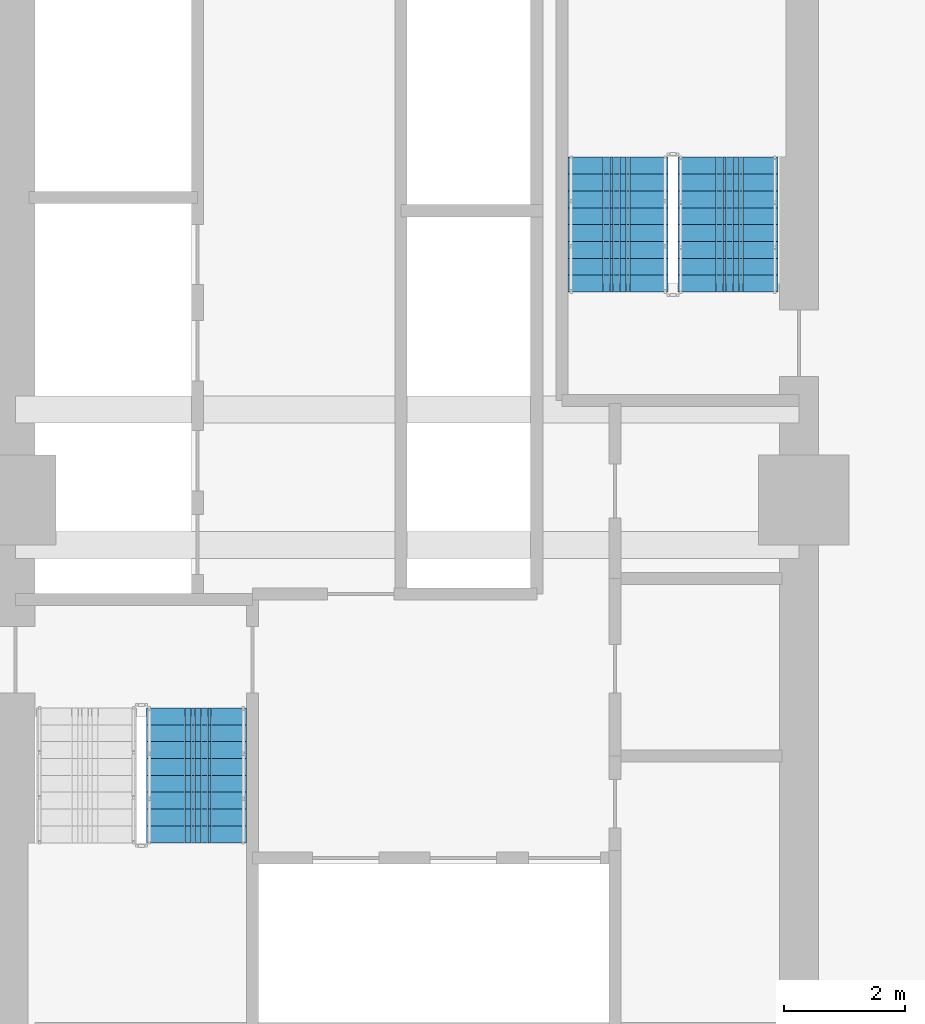
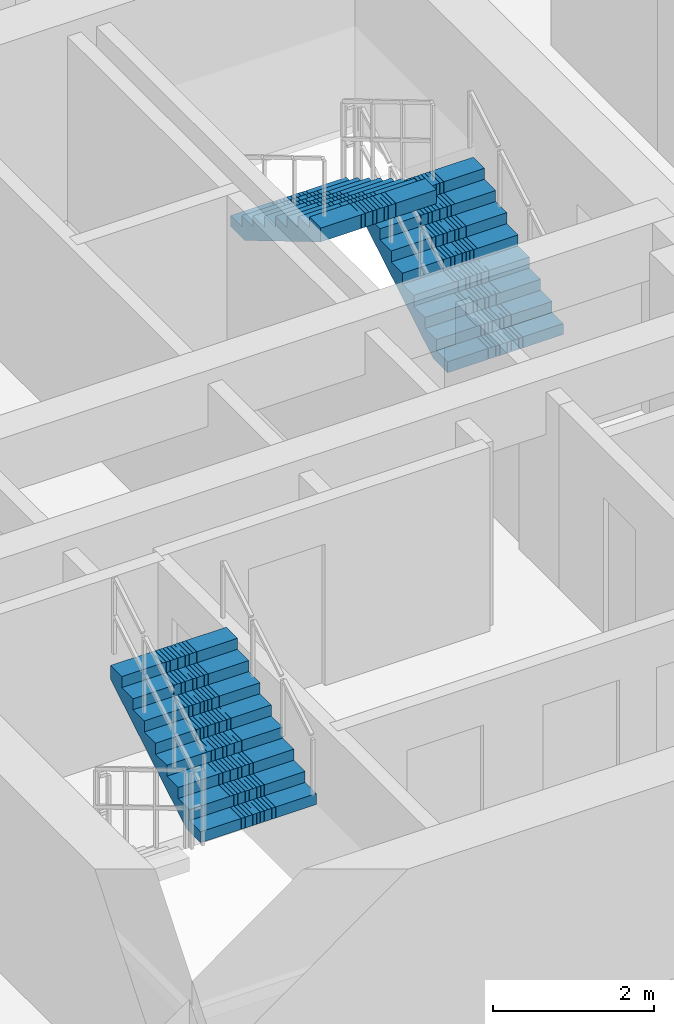
# One storey, part 10 of 16: 3 stair flights, 2 elements without a shape of their own.
"""IFC4 building model written with IfcOpenShell, lengths in metres."""

from ifc_helpers import new_model, si_unit, direction, frame, origin, place, context, subcontext, project, spatial, polyline, outline, extrude, material, type_object, element, aggregate, save


model = new_model("IFC4")

# Units and contexts
model_context = context("Model", 3, precision=1e-05, world=origin(), true_north=direction((0.0, 1.0)))
body_context = subcontext(model_context, "Body", "Model", "MODEL_VIEW")
ifc_project = project(units=[si_unit("LENGTHUNIT", "METRE"), si_unit("AREAUNIT", "SQUARE_METRE"), si_unit("VOLUMEUNIT", "CUBIC_METRE"), si_unit("PLANEANGLEUNIT", "RADIAN"), si_unit("MASSUNIT", "GRAM", prefix="KILO")], contexts=[model_context])

# Site, building, storey
site_placement = place(None, origin())
site = spatial("IfcSite", under=ifc_project, at=site_placement, CompositionType="ELEMENT")
building_placement = place(site_placement, origin())
building = spatial("IfcBuilding", under=site, at=building_placement, Name="Saelheon Loggia Tower", CompositionType="ELEMENT")
storey_placement = place(building_placement, frame((0.0, 0.0, 55.39990234375)))
storey = spatial("IfcBuildingStorey", under=building, at=storey_placement, Name="L17", CompositionType="ELEMENT", Elevation=55.39990234375)

# Stair, stair flight
ifc_material = material(Name="Concrete C40/50", Category="concrete")
stair_type = type_object("IfcStairType", Name="Stair_Escape_Core", PredefinedType="HALF_TURN_STAIR", material=ifc_material)
stair_1_placement = place(storey_placement, origin())
stair_1 = element("IfcStair", 1, at=stair_1_placement, inside=storey, type_object=stair_type, Name="L17 Special Escape Stair ST1", PredefinedType="HALF_TURN_STAIR")
stair_flight_type = type_object("IfcStairFlightType", Name="StairFlight_Tower_1660", PredefinedType="STRAIGHT", material=ifc_material)
stair_flight_1_placement = place(storey_placement, frame((34.5, 21.31005859375, 1.5), z_axis=(0.0, 0.0, 1.0), x_axis=(0.0, 1.0, 0.0)))
stair_flight_1 = element("IfcStairFlight", 2, at=stair_flight_1_placement, type_object=stair_flight_type, Name="ST1 flight 2", NumberOfRisers=9, NumberOfTreads=8, PredefinedType="STRAIGHT", RiserHeight=0.166666667, TreadLength=0.28, context=body_context, shape_type="SweptSolid", body=[
    extrude(outline(polyline([(0.0, 0.0), (0.0, 0.166748046875), (0.280029296875, 0.166748046875), (0.280029296875, 0.333251953125), (0.56005859375, 0.333251953125), (0.56005859375, 0.5), (0.840087890625, 0.5), (0.840087890625, 0.666748046875), (1.1201171875, 0.666748046875), (1.1201171875, 0.833251953125), (1.39990234375, 0.833251953125), (1.39990234375, 1.0), (1.679931640625, 1.0), (1.679931640625, 1.166748046875), (1.9599609375, 1.166748046875), (1.9599609375, 1.333251953125), (2.239990234375, 1.333251953125), (2.239990234375, 1.5), (2.239990234375, 1.1240234375), (0.351806640625, 0.0), (0.0, 0.0)])), frame((0.0, -0.2490234375, 0.0), z_axis=(0.0, -1.0, 0.0), x_axis=(1.0, 0.0, 0.0)), (0.0, 0.0, 1.0), 0.5810546875),
    extrude(outline(polyline([(0.0, 0.0), (0.0, 0.166748046875), (0.280029296875, 0.166748046875), (0.280029296875, 0.333251953125), (0.56005859375, 0.333251953125), (0.56005859375, 0.5), (0.840087890625, 0.5), (0.840087890625, 0.666748046875), (1.1201171875, 0.666748046875), (1.1201171875, 0.833251953125), (1.39990234375, 0.833251953125), (1.39990234375, 1.0), (1.679931640625, 1.0), (1.679931640625, 1.166748046875), (1.9599609375, 1.166748046875), (1.9599609375, 1.333251953125), (2.239990234375, 1.333251953125), (2.239990234375, 1.5), (2.239990234375, 1.1240234375), (0.351806640625, 0.0), (0.0, 0.0)])), frame((0.0, -0.194091796875, 0.0), z_axis=(0.0, -1.0, 0.0), x_axis=(1.0, 0.0, 0.0)), (0.0, 0.0, 1.0), 0.0498046875),
    extrude(outline(polyline([(0.0, 0.0), (0.0, 0.166748046875), (0.280029296875, 0.166748046875), (0.280029296875, 0.333251953125), (0.56005859375, 0.333251953125), (0.56005859375, 0.5), (0.840087890625, 0.5), (0.840087890625, 0.666748046875), (1.1201171875, 0.666748046875), (1.1201171875, 0.833251953125), (1.39990234375, 0.833251953125), (1.39990234375, 1.0), (1.679931640625, 1.0), (1.679931640625, 1.166748046875), (1.9599609375, 1.166748046875), (1.9599609375, 1.333251953125), (2.239990234375, 1.333251953125), (2.239990234375, 1.5), (2.239990234375, 1.1240234375), (0.351806640625, 0.0), (0.0, 0.0)])), frame((0.0, -0.139404296875, 0.0), z_axis=(0.0, -1.0, 0.0), x_axis=(1.0, 0.0, 0.0)), (0.0, 0.0, 1.0), 0.0498046875),
    extrude(outline(polyline([(0.0, 0.0), (0.0, 0.166748046875), (0.280029296875, 0.166748046875), (0.280029296875, 0.333251953125), (0.56005859375, 0.333251953125), (0.56005859375, 0.5), (0.840087890625, 0.5), (0.840087890625, 0.666748046875), (1.1201171875, 0.666748046875), (1.1201171875, 0.833251953125), (1.39990234375, 0.833251953125), (1.39990234375, 1.0), (1.679931640625, 1.0), (1.679931640625, 1.166748046875), (1.9599609375, 1.166748046875), (1.9599609375, 1.333251953125), (2.239990234375, 1.333251953125), (2.239990234375, 1.5), (2.239990234375, 1.1240234375), (0.351806640625, 0.0), (0.0, 0.0)])), frame((0.0, -0.084716796875, 0.0), z_axis=(0.0, -1.0, 0.0), x_axis=(1.0, 0.0, 0.0)), (0.0, 0.0, 1.0), 0.0498046875),
    extrude(outline(polyline([(0.0, 0.0), (0.0, 0.166748046875), (0.280029296875, 0.166748046875), (0.280029296875, 0.333251953125), (0.56005859375, 0.333251953125), (0.56005859375, 0.5), (0.840087890625, 0.5), (0.840087890625, 0.666748046875), (1.1201171875, 0.666748046875), (1.1201171875, 0.833251953125), (1.39990234375, 0.833251953125), (1.39990234375, 1.0), (1.679931640625, 1.0), (1.679931640625, 1.166748046875), (1.9599609375, 1.166748046875), (1.9599609375, 1.333251953125), (2.239990234375, 1.333251953125), (2.239990234375, 1.5), (2.239990234375, 1.1240234375), (0.351806640625, 0.0), (0.0, 0.0)])), frame((0.0, -0.02978515625, 0.0), z_axis=(0.0, -1.0, 0.0), x_axis=(1.0, 0.0, 0.0)), (0.0, 0.0, 1.0), 0.0498046875),
    extrude(outline(polyline([(0.0, 0.0), (0.0, 0.166748046875), (0.280029296875, 0.166748046875), (0.280029296875, 0.333251953125), (0.56005859375, 0.333251953125), (0.56005859375, 0.5), (0.840087890625, 0.5), (0.840087890625, 0.666748046875), (1.1201171875, 0.666748046875), (1.1201171875, 0.833251953125), (1.39990234375, 0.833251953125), (1.39990234375, 1.0), (1.679931640625, 1.0), (1.679931640625, 1.166748046875), (1.9599609375, 1.166748046875), (1.9599609375, 1.333251953125), (2.239990234375, 1.333251953125), (2.239990234375, 1.5), (2.239990234375, 1.1240234375), (0.351806640625, 0.0), (0.0, 0.0)])), frame((0.0, 0.02490234375, 0.0), z_axis=(0.0, -1.0, 0.0), x_axis=(1.0, 0.0, 0.0)), (0.0, 0.0, 1.0), 0.0498046875),
    extrude(outline(polyline([(0.0, 0.0), (0.0, 0.166748046875), (0.280029296875, 0.166748046875), (0.280029296875, 0.333251953125), (0.56005859375, 0.333251953125), (0.56005859375, 0.5), (0.840087890625, 0.5), (0.840087890625, 0.666748046875), (1.1201171875, 0.666748046875), (1.1201171875, 0.833251953125), (1.39990234375, 0.833251953125), (1.39990234375, 1.0), (1.679931640625, 1.0), (1.679931640625, 1.166748046875), (1.9599609375, 1.166748046875), (1.9599609375, 1.333251953125), (2.239990234375, 1.333251953125), (2.239990234375, 1.5), (2.239990234375, 1.1240234375), (0.351806640625, 0.0), (0.0, 0.0)])), frame((0.0, 0.07958984375, 0.0), z_axis=(0.0, -1.0, 0.0), x_axis=(1.0, 0.0, 0.0)), (0.0, 0.0, 1.0), 0.0498046875),
    extrude(outline(polyline([(0.0, 0.0), (0.0, 0.166748046875), (0.280029296875, 0.166748046875), (0.280029296875, 0.333251953125), (0.56005859375, 0.333251953125), (0.56005859375, 0.5), (0.840087890625, 0.5), (0.840087890625, 0.666748046875), (1.1201171875, 0.666748046875), (1.1201171875, 0.833251953125), (1.39990234375, 0.833251953125), (1.39990234375, 1.0), (1.679931640625, 1.0), (1.679931640625, 1.166748046875), (1.9599609375, 1.166748046875), (1.9599609375, 1.333251953125), (2.239990234375, 1.333251953125), (2.239990234375, 1.5), (2.239990234375, 1.1240234375), (0.351806640625, 0.0), (0.0, 0.0)])), frame((0.0, 0.134521484375, 0.0), z_axis=(0.0, -1.0, 0.0), x_axis=(1.0, 0.0, 0.0)), (0.0, 0.0, 1.0), 0.0498046875),
    extrude(outline(polyline([(0.0, 0.0), (0.0, 0.166748046875), (0.280029296875, 0.166748046875), (0.280029296875, 0.333251953125), (0.56005859375, 0.333251953125), (0.56005859375, 0.5), (0.840087890625, 0.5), (0.840087890625, 0.666748046875), (1.1201171875, 0.666748046875), (1.1201171875, 0.833251953125), (1.39990234375, 0.833251953125), (1.39990234375, 1.0), (1.679931640625, 1.0), (1.679931640625, 1.166748046875), (1.9599609375, 1.166748046875), (1.9599609375, 1.333251953125), (2.239990234375, 1.333251953125), (2.239990234375, 1.5), (2.239990234375, 1.1240234375), (0.351806640625, 0.0), (0.0, 0.0)])), frame((0.0, 0.189208984375, 0.0), z_axis=(0.0, -1.0, 0.0), x_axis=(1.0, 0.0, 0.0)), (0.0, 0.0, 1.0), 0.0498046875),
    extrude(outline(polyline([(0.0, 0.0), (0.0, 0.166748046875), (0.280029296875, 0.166748046875), (0.280029296875, 0.333251953125), (0.56005859375, 0.333251953125), (0.56005859375, 0.5), (0.840087890625, 0.5), (0.840087890625, 0.666748046875), (1.1201171875, 0.666748046875), (1.1201171875, 0.833251953125), (1.39990234375, 0.833251953125), (1.39990234375, 1.0), (1.679931640625, 1.0), (1.679931640625, 1.166748046875), (1.9599609375, 1.166748046875), (1.9599609375, 1.333251953125), (2.239990234375, 1.333251953125), (2.239990234375, 1.5), (2.239990234375, 1.1240234375), (0.351806640625, 0.0), (0.0, 0.0)])), frame((0.0, 0.243896484375, 0.0), z_axis=(0.0, -1.0, 0.0), x_axis=(1.0, 0.0, 0.0)), (0.0, 0.0, 1.0), 0.0498046875),
    extrude(outline(polyline([(0.0, 0.0), (0.0, 0.166748046875), (0.280029296875, 0.166748046875), (0.280029296875, 0.333251953125), (0.56005859375, 0.333251953125), (0.56005859375, 0.5), (0.840087890625, 0.5), (0.840087890625, 0.666748046875), (1.1201171875, 0.666748046875), (1.1201171875, 0.833251953125), (1.39990234375, 0.833251953125), (1.39990234375, 1.0), (1.679931640625, 1.0), (1.679931640625, 1.166748046875), (1.9599609375, 1.166748046875), (1.9599609375, 1.333251953125), (2.239990234375, 1.333251953125), (2.239990234375, 1.5), (2.239990234375, 1.1240234375), (0.351806640625, 0.0), (0.0, 0.0)])), frame((0.0, 0.830078125, 0.0), z_axis=(0.0, -1.0, 0.0), x_axis=(1.0, 0.0, 0.0)), (0.0, 0.0, 1.0), 0.5810546875),
])
aggregate(stair_1, [stair_flight_1])

# Stair, stair flights
stair_2_placement = place(storey_placement, origin())
stair_2 = element("IfcStair", 3, at=stair_2_placement, inside=storey, type_object=stair_type, Name="L17 Special Escape Stair ST2", PredefinedType="HALF_TURN_STAIR")
stair_flight_2_placement = place(storey_placement, frame((43.320068359375, 30.449951171875, 0.0), z_axis=(0.0, 0.0, 1.0), x_axis=(0.0, 1.0, 0.0)))
stair_flight_2 = element("IfcStairFlight", 4, at=stair_flight_2_placement, type_object=stair_flight_type, Name="ST2 flight 1", NumberOfRisers=9, NumberOfTreads=8, PredefinedType="STRAIGHT", RiserHeight=0.166666667, TreadLength=0.28, context=body_context, shape_type="SweptSolid", body=[
    extrude(outline(polyline([(0.0, 0.0), (0.0, 0.166748046875), (0.280029296875, 0.166748046875), (0.280029296875, 0.333251953125), (0.56005859375, 0.333251953125), (0.56005859375, 0.5), (0.840087890625, 0.5), (0.840087890625, 0.666748046875), (1.1201171875, 0.666748046875), (1.1201171875, 0.833251953125), (1.39990234375, 0.833251953125), (1.39990234375, 1.0), (1.679931640625, 1.0), (1.679931640625, 1.166748046875), (1.9599609375, 1.166748046875), (1.9599609375, 1.333251953125), (2.239990234375, 1.333251953125), (2.239990234375, 1.5), (2.239990234375, 1.1240234375), (0.351806640625, 0.0), (0.0, 0.0)])), frame((0.0, -0.2490234375, 0.0), z_axis=(0.0, -1.0, 0.0), x_axis=(1.0, 0.0, 0.0)), (0.0, 0.0, 1.0), 0.5810546875),
    extrude(outline(polyline([(0.0, 0.0), (0.0, 0.166748046875), (0.280029296875, 0.166748046875), (0.280029296875, 0.333251953125), (0.56005859375, 0.333251953125), (0.56005859375, 0.5), (0.840087890625, 0.5), (0.840087890625, 0.666748046875), (1.1201171875, 0.666748046875), (1.1201171875, 0.833251953125), (1.39990234375, 0.833251953125), (1.39990234375, 1.0), (1.679931640625, 1.0), (1.679931640625, 1.166748046875), (1.9599609375, 1.166748046875), (1.9599609375, 1.333251953125), (2.239990234375, 1.333251953125), (2.239990234375, 1.5), (2.239990234375, 1.1240234375), (0.351806640625, 0.0), (0.0, 0.0)])), frame((0.0, -0.194091796875, 0.0), z_axis=(0.0, -1.0, 0.0), x_axis=(1.0, 0.0, 0.0)), (0.0, 0.0, 1.0), 0.0498046875),
    extrude(outline(polyline([(0.0, 0.0), (0.0, 0.166748046875), (0.280029296875, 0.166748046875), (0.280029296875, 0.333251953125), (0.56005859375, 0.333251953125), (0.56005859375, 0.5), (0.840087890625, 0.5), (0.840087890625, 0.666748046875), (1.1201171875, 0.666748046875), (1.1201171875, 0.833251953125), (1.39990234375, 0.833251953125), (1.39990234375, 1.0), (1.679931640625, 1.0), (1.679931640625, 1.166748046875), (1.9599609375, 1.166748046875), (1.9599609375, 1.333251953125), (2.239990234375, 1.333251953125), (2.239990234375, 1.5), (2.239990234375, 1.1240234375), (0.351806640625, 0.0), (0.0, 0.0)])), frame((0.0, -0.139404296875, 0.0), z_axis=(0.0, -1.0, 0.0), x_axis=(1.0, 0.0, 0.0)), (0.0, 0.0, 1.0), 0.0498046875),
    extrude(outline(polyline([(0.0, 0.0), (0.0, 0.166748046875), (0.280029296875, 0.166748046875), (0.280029296875, 0.333251953125), (0.56005859375, 0.333251953125), (0.56005859375, 0.5), (0.840087890625, 0.5), (0.840087890625, 0.666748046875), (1.1201171875, 0.666748046875), (1.1201171875, 0.833251953125), (1.39990234375, 0.833251953125), (1.39990234375, 1.0), (1.679931640625, 1.0), (1.679931640625, 1.166748046875), (1.9599609375, 1.166748046875), (1.9599609375, 1.333251953125), (2.239990234375, 1.333251953125), (2.239990234375, 1.5), (2.239990234375, 1.1240234375), (0.351806640625, 0.0), (0.0, 0.0)])), frame((0.0, -0.084716796875, 0.0), z_axis=(0.0, -1.0, 0.0), x_axis=(1.0, 0.0, 0.0)), (0.0, 0.0, 1.0), 0.0498046875),
    extrude(outline(polyline([(0.0, 0.0), (0.0, 0.166748046875), (0.280029296875, 0.166748046875), (0.280029296875, 0.333251953125), (0.56005859375, 0.333251953125), (0.56005859375, 0.5), (0.840087890625, 0.5), (0.840087890625, 0.666748046875), (1.1201171875, 0.666748046875), (1.1201171875, 0.833251953125), (1.39990234375, 0.833251953125), (1.39990234375, 1.0), (1.679931640625, 1.0), (1.679931640625, 1.166748046875), (1.9599609375, 1.166748046875), (1.9599609375, 1.333251953125), (2.239990234375, 1.333251953125), (2.239990234375, 1.5), (2.239990234375, 1.1240234375), (0.351806640625, 0.0), (0.0, 0.0)])), frame((0.0, -0.02978515625, 0.0), z_axis=(0.0, -1.0, 0.0), x_axis=(1.0, 0.0, 0.0)), (0.0, 0.0, 1.0), 0.0498046875),
    extrude(outline(polyline([(0.0, 0.0), (0.0, 0.166748046875), (0.280029296875, 0.166748046875), (0.280029296875, 0.333251953125), (0.56005859375, 0.333251953125), (0.56005859375, 0.5), (0.840087890625, 0.5), (0.840087890625, 0.666748046875), (1.1201171875, 0.666748046875), (1.1201171875, 0.833251953125), (1.39990234375, 0.833251953125), (1.39990234375, 1.0), (1.679931640625, 1.0), (1.679931640625, 1.166748046875), (1.9599609375, 1.166748046875), (1.9599609375, 1.333251953125), (2.239990234375, 1.333251953125), (2.239990234375, 1.5), (2.239990234375, 1.1240234375), (0.351806640625, 0.0), (0.0, 0.0)])), frame((0.0, 0.02490234375, 0.0), z_axis=(0.0, -1.0, 0.0), x_axis=(1.0, 0.0, 0.0)), (0.0, 0.0, 1.0), 0.0498046875),
    extrude(outline(polyline([(0.0, 0.0), (0.0, 0.166748046875), (0.280029296875, 0.166748046875), (0.280029296875, 0.333251953125), (0.56005859375, 0.333251953125), (0.56005859375, 0.5), (0.840087890625, 0.5), (0.840087890625, 0.666748046875), (1.1201171875, 0.666748046875), (1.1201171875, 0.833251953125), (1.39990234375, 0.833251953125), (1.39990234375, 1.0), (1.679931640625, 1.0), (1.679931640625, 1.166748046875), (1.9599609375, 1.166748046875), (1.9599609375, 1.333251953125), (2.239990234375, 1.333251953125), (2.239990234375, 1.5), (2.239990234375, 1.1240234375), (0.351806640625, 0.0), (0.0, 0.0)])), frame((0.0, 0.07958984375, 0.0), z_axis=(0.0, -1.0, 0.0), x_axis=(1.0, 0.0, 0.0)), (0.0, 0.0, 1.0), 0.0498046875),
    extrude(outline(polyline([(0.0, 0.0), (0.0, 0.166748046875), (0.280029296875, 0.166748046875), (0.280029296875, 0.333251953125), (0.56005859375, 0.333251953125), (0.56005859375, 0.5), (0.840087890625, 0.5), (0.840087890625, 0.666748046875), (1.1201171875, 0.666748046875), (1.1201171875, 0.833251953125), (1.39990234375, 0.833251953125), (1.39990234375, 1.0), (1.679931640625, 1.0), (1.679931640625, 1.166748046875), (1.9599609375, 1.166748046875), (1.9599609375, 1.333251953125), (2.239990234375, 1.333251953125), (2.239990234375, 1.5), (2.239990234375, 1.1240234375), (0.351806640625, 0.0), (0.0, 0.0)])), frame((0.0, 0.134521484375, 0.0), z_axis=(0.0, -1.0, 0.0), x_axis=(1.0, 0.0, 0.0)), (0.0, 0.0, 1.0), 0.0498046875),
    extrude(outline(polyline([(0.0, 0.0), (0.0, 0.166748046875), (0.280029296875, 0.166748046875), (0.280029296875, 0.333251953125), (0.56005859375, 0.333251953125), (0.56005859375, 0.5), (0.840087890625, 0.5), (0.840087890625, 0.666748046875), (1.1201171875, 0.666748046875), (1.1201171875, 0.833251953125), (1.39990234375, 0.833251953125), (1.39990234375, 1.0), (1.679931640625, 1.0), (1.679931640625, 1.166748046875), (1.9599609375, 1.166748046875), (1.9599609375, 1.333251953125), (2.239990234375, 1.333251953125), (2.239990234375, 1.5), (2.239990234375, 1.1240234375), (0.351806640625, 0.0), (0.0, 0.0)])), frame((0.0, 0.189208984375, 0.0), z_axis=(0.0, -1.0, 0.0), x_axis=(1.0, 0.0, 0.0)), (0.0, 0.0, 1.0), 0.0498046875),
    extrude(outline(polyline([(0.0, 0.0), (0.0, 0.166748046875), (0.280029296875, 0.166748046875), (0.280029296875, 0.333251953125), (0.56005859375, 0.333251953125), (0.56005859375, 0.5), (0.840087890625, 0.5), (0.840087890625, 0.666748046875), (1.1201171875, 0.666748046875), (1.1201171875, 0.833251953125), (1.39990234375, 0.833251953125), (1.39990234375, 1.0), (1.679931640625, 1.0), (1.679931640625, 1.166748046875), (1.9599609375, 1.166748046875), (1.9599609375, 1.333251953125), (2.239990234375, 1.333251953125), (2.239990234375, 1.5), (2.239990234375, 1.1240234375), (0.351806640625, 0.0), (0.0, 0.0)])), frame((0.0, 0.243896484375, 0.0), z_axis=(0.0, -1.0, 0.0), x_axis=(1.0, 0.0, 0.0)), (0.0, 0.0, 1.0), 0.0498046875),
    extrude(outline(polyline([(0.0, 0.0), (0.0, 0.166748046875), (0.280029296875, 0.166748046875), (0.280029296875, 0.333251953125), (0.56005859375, 0.333251953125), (0.56005859375, 0.5), (0.840087890625, 0.5), (0.840087890625, 0.666748046875), (1.1201171875, 0.666748046875), (1.1201171875, 0.833251953125), (1.39990234375, 0.833251953125), (1.39990234375, 1.0), (1.679931640625, 1.0), (1.679931640625, 1.166748046875), (1.9599609375, 1.166748046875), (1.9599609375, 1.333251953125), (2.239990234375, 1.333251953125), (2.239990234375, 1.5), (2.239990234375, 1.1240234375), (0.351806640625, 0.0), (0.0, 0.0)])), frame((0.0, 0.830078125, 0.0), z_axis=(0.0, -1.0, 0.0), x_axis=(1.0, 0.0, 0.0)), (0.0, 0.0, 1.0), 0.5810546875),
])
stair_flight_3_placement = place(storey_placement, frame((41.5, 32.68994140625, 1.5), z_axis=(0.0, 0.0, 1.0), x_axis=(0.0, -1.0, 0.0)))
stair_flight_3 = element("IfcStairFlight", 5, at=stair_flight_3_placement, type_object=stair_flight_type, Name="ST2 flight 2", NumberOfRisers=9, NumberOfTreads=8, PredefinedType="STRAIGHT", RiserHeight=0.166666667, TreadLength=0.28, context=body_context, shape_type="SweptSolid", body=[
    extrude(outline(polyline([(0.0, 0.0), (0.0, 0.166748046875), (0.280029296875, 0.166748046875), (0.280029296875, 0.333251953125), (0.56005859375, 0.333251953125), (0.56005859375, 0.5), (0.840087890625, 0.5), (0.840087890625, 0.666748046875), (1.1201171875, 0.666748046875), (1.1201171875, 0.833251953125), (1.39990234375, 0.833251953125), (1.39990234375, 1.0), (1.679931640625, 1.0), (1.679931640625, 1.166748046875), (1.9599609375, 1.166748046875), (1.9599609375, 1.333251953125), (2.239990234375, 1.333251953125), (2.239990234375, 1.5), (2.239990234375, 1.1240234375), (0.351806640625, 0.0), (0.0, 0.0)])), frame((0.0, -0.2490234375, 0.0), z_axis=(0.0, -1.0, 0.0), x_axis=(1.0, 0.0, 0.0)), (0.0, 0.0, 1.0), 0.5810546875),
    extrude(outline(polyline([(0.0, 0.0), (0.0, 0.166748046875), (0.280029296875, 0.166748046875), (0.280029296875, 0.333251953125), (0.56005859375, 0.333251953125), (0.56005859375, 0.5), (0.840087890625, 0.5), (0.840087890625, 0.666748046875), (1.1201171875, 0.666748046875), (1.1201171875, 0.833251953125), (1.39990234375, 0.833251953125), (1.39990234375, 1.0), (1.679931640625, 1.0), (1.679931640625, 1.166748046875), (1.9599609375, 1.166748046875), (1.9599609375, 1.333251953125), (2.239990234375, 1.333251953125), (2.239990234375, 1.5), (2.239990234375, 1.1240234375), (0.351806640625, 0.0), (0.0, 0.0)])), frame((0.0, -0.194091796875, 0.0), z_axis=(0.0, -1.0, 0.0), x_axis=(1.0, 0.0, 0.0)), (0.0, 0.0, 1.0), 0.0498046875),
    extrude(outline(polyline([(0.0, 0.0), (0.0, 0.166748046875), (0.280029296875, 0.166748046875), (0.280029296875, 0.333251953125), (0.56005859375, 0.333251953125), (0.56005859375, 0.5), (0.840087890625, 0.5), (0.840087890625, 0.666748046875), (1.1201171875, 0.666748046875), (1.1201171875, 0.833251953125), (1.39990234375, 0.833251953125), (1.39990234375, 1.0), (1.679931640625, 1.0), (1.679931640625, 1.166748046875), (1.9599609375, 1.166748046875), (1.9599609375, 1.333251953125), (2.239990234375, 1.333251953125), (2.239990234375, 1.5), (2.239990234375, 1.1240234375), (0.351806640625, 0.0), (0.0, 0.0)])), frame((0.0, -0.139404296875, 0.0), z_axis=(0.0, -1.0, 0.0), x_axis=(1.0, 0.0, 0.0)), (0.0, 0.0, 1.0), 0.0498046875),
    extrude(outline(polyline([(0.0, 0.0), (0.0, 0.166748046875), (0.280029296875, 0.166748046875), (0.280029296875, 0.333251953125), (0.56005859375, 0.333251953125), (0.56005859375, 0.5), (0.840087890625, 0.5), (0.840087890625, 0.666748046875), (1.1201171875, 0.666748046875), (1.1201171875, 0.833251953125), (1.39990234375, 0.833251953125), (1.39990234375, 1.0), (1.679931640625, 1.0), (1.679931640625, 1.166748046875), (1.9599609375, 1.166748046875), (1.9599609375, 1.333251953125), (2.239990234375, 1.333251953125), (2.239990234375, 1.5), (2.239990234375, 1.1240234375), (0.351806640625, 0.0), (0.0, 0.0)])), frame((0.0, -0.084716796875, 0.0), z_axis=(0.0, -1.0, 0.0), x_axis=(1.0, 0.0, 0.0)), (0.0, 0.0, 1.0), 0.0498046875),
    extrude(outline(polyline([(0.0, 0.0), (0.0, 0.166748046875), (0.280029296875, 0.166748046875), (0.280029296875, 0.333251953125), (0.56005859375, 0.333251953125), (0.56005859375, 0.5), (0.840087890625, 0.5), (0.840087890625, 0.666748046875), (1.1201171875, 0.666748046875), (1.1201171875, 0.833251953125), (1.39990234375, 0.833251953125), (1.39990234375, 1.0), (1.679931640625, 1.0), (1.679931640625, 1.166748046875), (1.9599609375, 1.166748046875), (1.9599609375, 1.333251953125), (2.239990234375, 1.333251953125), (2.239990234375, 1.5), (2.239990234375, 1.1240234375), (0.351806640625, 0.0), (0.0, 0.0)])), frame((0.0, -0.02978515625, 0.0), z_axis=(0.0, -1.0, 0.0), x_axis=(1.0, 0.0, 0.0)), (0.0, 0.0, 1.0), 0.0498046875),
    extrude(outline(polyline([(0.0, 0.0), (0.0, 0.166748046875), (0.280029296875, 0.166748046875), (0.280029296875, 0.333251953125), (0.56005859375, 0.333251953125), (0.56005859375, 0.5), (0.840087890625, 0.5), (0.840087890625, 0.666748046875), (1.1201171875, 0.666748046875), (1.1201171875, 0.833251953125), (1.39990234375, 0.833251953125), (1.39990234375, 1.0), (1.679931640625, 1.0), (1.679931640625, 1.166748046875), (1.9599609375, 1.166748046875), (1.9599609375, 1.333251953125), (2.239990234375, 1.333251953125), (2.239990234375, 1.5), (2.239990234375, 1.1240234375), (0.351806640625, 0.0), (0.0, 0.0)])), frame((0.0, 0.02490234375, 0.0), z_axis=(0.0, -1.0, 0.0), x_axis=(1.0, 0.0, 0.0)), (0.0, 0.0, 1.0), 0.0498046875),
    extrude(outline(polyline([(0.0, 0.0), (0.0, 0.166748046875), (0.280029296875, 0.166748046875), (0.280029296875, 0.333251953125), (0.56005859375, 0.333251953125), (0.56005859375, 0.5), (0.840087890625, 0.5), (0.840087890625, 0.666748046875), (1.1201171875, 0.666748046875), (1.1201171875, 0.833251953125), (1.39990234375, 0.833251953125), (1.39990234375, 1.0), (1.679931640625, 1.0), (1.679931640625, 1.166748046875), (1.9599609375, 1.166748046875), (1.9599609375, 1.333251953125), (2.239990234375, 1.333251953125), (2.239990234375, 1.5), (2.239990234375, 1.1240234375), (0.351806640625, 0.0), (0.0, 0.0)])), frame((0.0, 0.07958984375, 0.0), z_axis=(0.0, -1.0, 0.0), x_axis=(1.0, 0.0, 0.0)), (0.0, 0.0, 1.0), 0.0498046875),
    extrude(outline(polyline([(0.0, 0.0), (0.0, 0.166748046875), (0.280029296875, 0.166748046875), (0.280029296875, 0.333251953125), (0.56005859375, 0.333251953125), (0.56005859375, 0.5), (0.840087890625, 0.5), (0.840087890625, 0.666748046875), (1.1201171875, 0.666748046875), (1.1201171875, 0.833251953125), (1.39990234375, 0.833251953125), (1.39990234375, 1.0), (1.679931640625, 1.0), (1.679931640625, 1.166748046875), (1.9599609375, 1.166748046875), (1.9599609375, 1.333251953125), (2.239990234375, 1.333251953125), (2.239990234375, 1.5), (2.239990234375, 1.1240234375), (0.351806640625, 0.0), (0.0, 0.0)])), frame((0.0, 0.134521484375, 0.0), z_axis=(0.0, -1.0, 0.0), x_axis=(1.0, 0.0, 0.0)), (0.0, 0.0, 1.0), 0.0498046875),
    extrude(outline(polyline([(0.0, 0.0), (0.0, 0.166748046875), (0.280029296875, 0.166748046875), (0.280029296875, 0.333251953125), (0.56005859375, 0.333251953125), (0.56005859375, 0.5), (0.840087890625, 0.5), (0.840087890625, 0.666748046875), (1.1201171875, 0.666748046875), (1.1201171875, 0.833251953125), (1.39990234375, 0.833251953125), (1.39990234375, 1.0), (1.679931640625, 1.0), (1.679931640625, 1.166748046875), (1.9599609375, 1.166748046875), (1.9599609375, 1.333251953125), (2.239990234375, 1.333251953125), (2.239990234375, 1.5), (2.239990234375, 1.1240234375), (0.351806640625, 0.0), (0.0, 0.0)])), frame((0.0, 0.189208984375, 0.0), z_axis=(0.0, -1.0, 0.0), x_axis=(1.0, 0.0, 0.0)), (0.0, 0.0, 1.0), 0.0498046875),
    extrude(outline(polyline([(0.0, 0.0), (0.0, 0.166748046875), (0.280029296875, 0.166748046875), (0.280029296875, 0.333251953125), (0.56005859375, 0.333251953125), (0.56005859375, 0.5), (0.840087890625, 0.5), (0.840087890625, 0.666748046875), (1.1201171875, 0.666748046875), (1.1201171875, 0.833251953125), (1.39990234375, 0.833251953125), (1.39990234375, 1.0), (1.679931640625, 1.0), (1.679931640625, 1.166748046875), (1.9599609375, 1.166748046875), (1.9599609375, 1.333251953125), (2.239990234375, 1.333251953125), (2.239990234375, 1.5), (2.239990234375, 1.1240234375), (0.351806640625, 0.0), (0.0, 0.0)])), frame((0.0, 0.243896484375, 0.0), z_axis=(0.0, -1.0, 0.0), x_axis=(1.0, 0.0, 0.0)), (0.0, 0.0, 1.0), 0.0498046875),
    extrude(outline(polyline([(0.0, 0.0), (0.0, 0.166748046875), (0.280029296875, 0.166748046875), (0.280029296875, 0.333251953125), (0.56005859375, 0.333251953125), (0.56005859375, 0.5), (0.840087890625, 0.5), (0.840087890625, 0.666748046875), (1.1201171875, 0.666748046875), (1.1201171875, 0.833251953125), (1.39990234375, 0.833251953125), (1.39990234375, 1.0), (1.679931640625, 1.0), (1.679931640625, 1.166748046875), (1.9599609375, 1.166748046875), (1.9599609375, 1.333251953125), (2.239990234375, 1.333251953125), (2.239990234375, 1.5), (2.239990234375, 1.1240234375), (0.351806640625, 0.0), (0.0, 0.0)])), frame((0.0, 0.830078125, 0.0), z_axis=(0.0, -1.0, 0.0), x_axis=(1.0, 0.0, 0.0)), (0.0, 0.0, 1.0), 0.5810546875),
])
aggregate(stair_2, [stair_flight_2, stair_flight_3])

save(model, "model.ifc")
